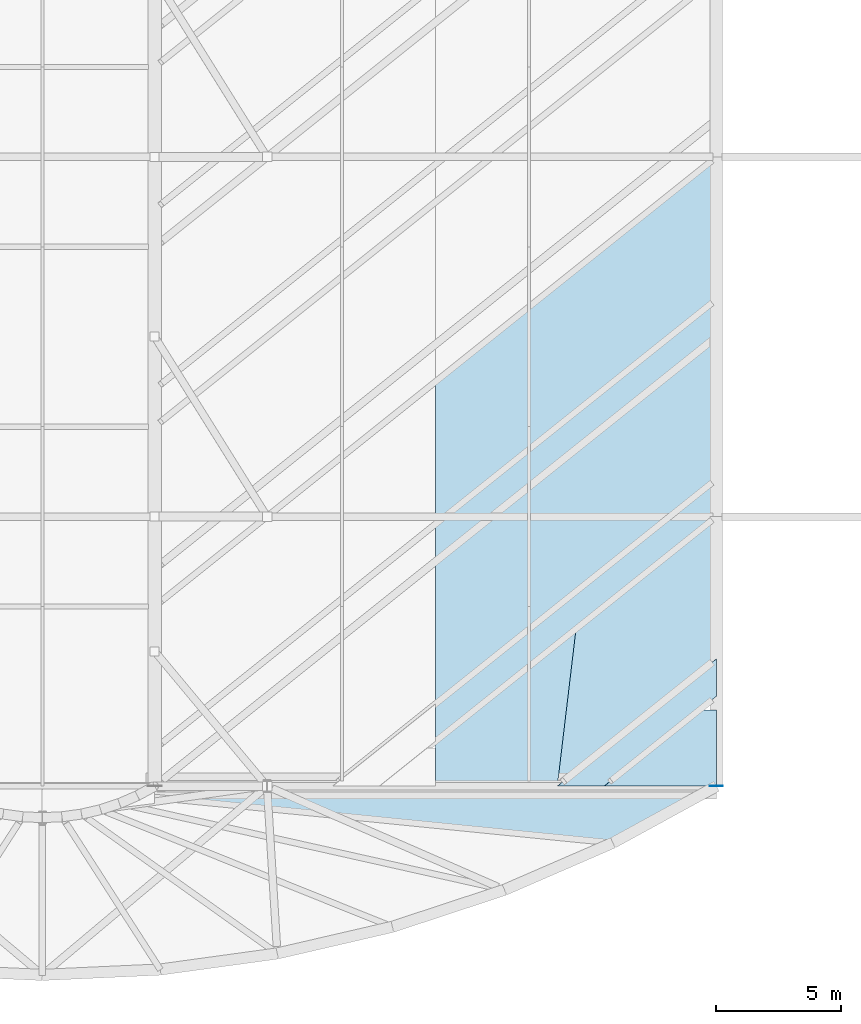
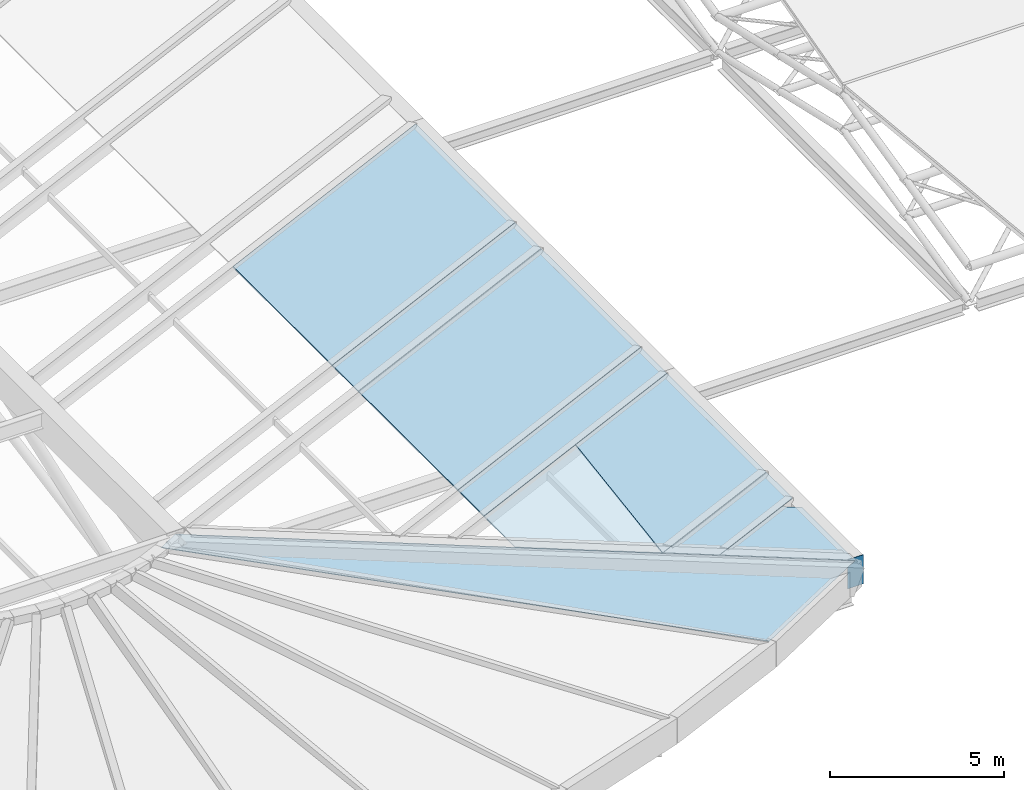
# One storey, part 64 of 110: 10 plates.
"""IFC4 building model written with IfcOpenShell, lengths in metres."""

from ifc_helpers import new_model, si_unit, direction, frame, origin, origin_2d, place, context, subcontext, project, spatial, polyline, rectangle, outline, extrude, material, layer, layer_set, type_object, element, save


model = new_model("IFC4")

# Units and contexts
model_context = context("Model", 3, precision=1e-05, world=origin(), true_north=direction((0.0, 1.0)))
body_context = subcontext(model_context, "Body", "Model", "MODEL_VIEW")
ifc_project = project(units=[si_unit("LENGTHUNIT", "METRE"), si_unit("AREAUNIT", "SQUARE_METRE"), si_unit("VOLUMEUNIT", "CUBIC_METRE"), si_unit("PLANEANGLEUNIT", "RADIAN"), si_unit("MASSUNIT", "GRAM", prefix="KILO")], contexts=[model_context])

# Site, building, storey
site_placement = place(None, origin())
site = spatial("IfcSite", under=ifc_project, at=site_placement, CompositionType="ELEMENT")
building_placement = place(site_placement, origin())
building = spatial("IfcBuilding", under=site, at=building_placement, Name="Tamarisk Ironworks Central Station", CompositionType="ELEMENT")
storey_placement = place(building_placement, frame((0.0, 0.0, 17.39990234375)))
storey = spatial("IfcBuildingStorey", under=building, at=storey_placement, Name="L03", CompositionType="ELEMENT", Elevation=17.39990234375)

# Plates
ifc_material_1 = material(Name="Painted structural steel S355J2", Category="steel")
ifc_layer_1 = layer(ifc_material_1, 0.01611328125)
ifc_layer_set_1 = layer_set([ifc_layer_1], Name="Painted structural steel S355J2")
plate_type_1 = type_object("IfcPlateType", Name="PL-EC16", PredefinedType="SHEET", material=ifc_layer_set_1)
plate_1_placement = place(storey_placement, frame((108.0, 10.800048828125, -1.60986328125), z_axis=(0.0, 0.0, 1.0), x_axis=(1.0, 0.0, 0.0)))
element("IfcPlate", 1, at=plate_1_placement, inside=storey, type_object=plate_type_1, Name="Eave box girder welded end-cap plate 003", PredefinedType="SHEET", context=body_context, shape_type="SweptSolid", body=[
    extrude(rectangle(XDim=0.52001953125, YDim=0.01611328125, at=origin_2d()), origin(), (0.0, 0.0, 1.0), 1.02001953125),
])
ifc_material_2 = material(Name="Laminated solar-control low-E glass", Category="glass")
ifc_layer_2 = layer(ifc_material_2, 0.031982421875)
ifc_layer_set_2 = layer_set([ifc_layer_2], Name="Laminated solar-control low-E glass")
plate_type_2 = type_object("IfcPlateType", Name="PL-RG32", PredefinedType="USERDEFINED", material=ifc_layer_set_2)
plate_2_placement = place(storey_placement, frame((107.322998046875, 13.8544921875, -0.43505859375), z_axis=(0.364206582275, 1.2528359e-05, 0.931318186911), x_axis=(-0.746810040321, -0.597474541626, 0.292059815423)))
element("IfcPlate", 2, at=plate_2_placement, inside=storey, type_object=plate_type_2, Name="Concourse fitted 4-vertex fishbone roof glass panel 0126", ObjectType="ROOF GLAZING PANEL", PredefinedType="USERDEFINED", context=body_context, shape_type="SweptSolid", body=[
    extrude(outline(polyline([(0.0, 0.0), (5.10571898436281, 2.220446049250313e-16), (1.2430782801337714, 2.8779952179804176), (-0.5795399810034434, 0.43180648274707395), (0.0, 0.0)])), origin(), (0.0, 0.0, -1.0), 0.031982421875),
])
plate_3_placement = place(storey_placement, frame((107.99609375, 14.40087890625, -0.6982421875), z_axis=(0.36424924657, -3.7455272e-05, 0.931301500574), x_axis=(1.3643055e-05, 0.999999999299, 3.4882151e-05)))
element("IfcPlate", 3, at=plate_3_placement, inside=storey, type_object=plate_type_2, Name="Concourse fitted 4-vertex fishbone roof glass panel 0127", ObjectType="ROOF GLAZING PANEL", PredefinedType="USERDEFINED", context=body_context, shape_type="SweptSolid", body=[
    extrude(outline(polyline([(0.0, 0.0), (1.4919433583284782, 0.0), (-3.5969238306480578, 6.830263779202349), (-3.5969238327411017, 4.8276785942938645), (0.0, 0.0)])), origin(), (0.0, 0.0, -1.0), 0.031982421875),
])
plate_4_placement = place(storey_placement, frame((102.375, 17.095947265625, 1.5), z_axis=(0.364230108154, 1.5653113e-05, 0.931308986357), x_axis=(-0.746820067119, -0.597448478606, 0.292087491618)))
element("IfcPlate", 4, at=plate_4_placement, inside=storey, type_object=plate_type_2, Name="Concourse fitted 4-vertex fishbone roof glass panel 0128", ObjectType="ROOF GLAZING PANEL", PredefinedType="USERDEFINED", context=body_context, shape_type="SweptSolid", body=[
    extrude(outline(polyline([(0.0, 0.0), (7.526717923538252, 1.6653345369377348e-16), (8.5992371284187, 1.4395567297011753), (4.404971338317778, 4.564428794992905), (0.0, 0.0)])), origin(), (0.0, 0.0, -1.0), 0.031982421875),
])
plate_5_placement = place(storey_placement, frame((107.99609375, 15.90087890625, -0.6982421875), z_axis=(0.364212404997, 1.1840758e-05, 0.931315909832), x_axis=(-4.312551e-06, 0.99999999993, -1.1027487e-05)))
element("IfcPlate", 5, at=plate_5_placement, inside=storey, type_object=plate_type_2, Name="Concourse fitted 4-vertex fishbone roof glass panel 0129", ObjectType="ROOF GLAZING PANEL", PredefinedType="USERDEFINED", context=body_context, shape_type="SweptSolid", body=[
    extrude(outline(polyline([(0.0, 0.0), (5.691894530850988, 4.821222200265322e-21), (1.195068359458776, 6.035641114330242), (-5.0969238292803265, 6.841008737875498), (0.0, 0.0)])), origin(), (0.0, 0.0, -1.0), 0.031982421875),
])
plate_6_placement = place(storey_placement, frame((107.99609375, 21.600830078125, -0.6982421875), z_axis=(0.36422776346, 0.0, 0.931309903483), x_axis=(0.0, 1.0, 0.0)))
element("IfcPlate", 6, at=plate_6_placement, inside=storey, type_object=plate_type_2, Name="Concourse fitted 4-vertex fishbone roof glass panel 0130", ObjectType="ROOF GLAZING PANEL", PredefinedType="USERDEFINED", context=body_context, shape_type="SweptSolid", body=[
    extrude(outline(polyline([(0.0, 0.0), (1.491943359375, 0.0), (-7.501708984375, 12.071371149346136), (-8.99365234375, 12.071371149346136), (0.0, 0.0)])), origin(), (0.0, 0.0, -1.0), 0.031982421875),
])
plate_7_placement = place(storey_placement, frame((107.99609375, 23.100830078125, -0.6982421875), z_axis=(0.36422776346, 0.0, 0.931309903483), x_axis=(0.0, 1.0, 0.0)))
element("IfcPlate", 7, at=plate_7_placement, inside=storey, type_object=plate_type_2, Name="Concourse fitted 4-vertex fishbone roof glass panel 0131", ObjectType="ROOF GLAZING PANEL", PredefinedType="USERDEFINED", context=body_context, shape_type="SweptSolid", body=[
    extrude(outline(polyline([(0.0, 0.0), (5.69189453125, 0.0), (-3.301513671875, 12.071371149346136), (-8.99365234375, 12.071371149346136), (0.0, 0.0)])), origin(), (0.0, 0.0, -1.0), 0.031982421875),
])
plate_8_placement = place(storey_placement, frame((107.99609375, 28.80078125, -0.6982421875), z_axis=(0.36422776346, 0.0, 0.931309903483), x_axis=(0.0, 1.0, 0.0)))
element("IfcPlate", 8, at=plate_8_placement, inside=storey, type_object=plate_type_2, Name="Concourse fitted 4-vertex fishbone roof glass panel 0132", ObjectType="ROOF GLAZING PANEL", PredefinedType="USERDEFINED", context=body_context, shape_type="SweptSolid", body=[
    extrude(outline(polyline([(0.0, 0.0), (1.491943359375, 0.0), (-7.50146484375, 12.071371149346135), (-8.99365234375, 12.071371149346135), (0.0, 0.0)])), origin(), (0.0, 0.0, -1.0), 0.031982421875),
])
plate_9_placement = place(storey_placement, frame((107.99609375, 30.30078125, -0.6982421875), z_axis=(0.36422776346, 0.0, 0.931309903483), x_axis=(0.0, 1.0, 0.0)))
element("IfcPlate", 9, at=plate_9_placement, inside=storey, type_object=plate_type_2, Name="Concourse fitted 4-vertex fishbone roof glass panel 0133", ObjectType="ROOF GLAZING PANEL", PredefinedType="USERDEFINED", context=body_context, shape_type="SweptSolid", body=[
    extrude(outline(polyline([(0.0, 0.0), (5.692138671875, 0.0), (-3.301513671875, 12.071371149346135), (-8.99365234375, 12.071371149346135), (0.0, 0.0)])), origin(), (0.0, 0.0, -1.0), 0.031982421875),
])
plate_10_placement = place(storey_placement, frame((103.85009765625, 8.530517578125, -0.699951171875), z_axis=(0.303166695585, -0.554314838663, 0.77512903076), x_axis=(0.877361429836, 0.479830096258, -1.2672889e-05)))
element("IfcPlate", 10, at=plate_10_placement, inside=storey, type_object=plate_type_2, Name="SOUTH rounded entrance hall trapezoidal glass panel 12", ObjectType="ROOF GLAZING PANEL", PredefinedType="USERDEFINED", context=body_context, shape_type="SweptSolid", body=[
    extrude(outline(polyline([(0.0, 0.0), (4.729953652141646, 2.220446049250313e-16), (-15.010790041217193, 13.928169219409897), (-15.799193747253863, 13.928058530582303), (0.0, 0.0)])), origin(), (0.0, 0.0, -1.0), 0.031982421875),
])

save(model, "model.ifc")
